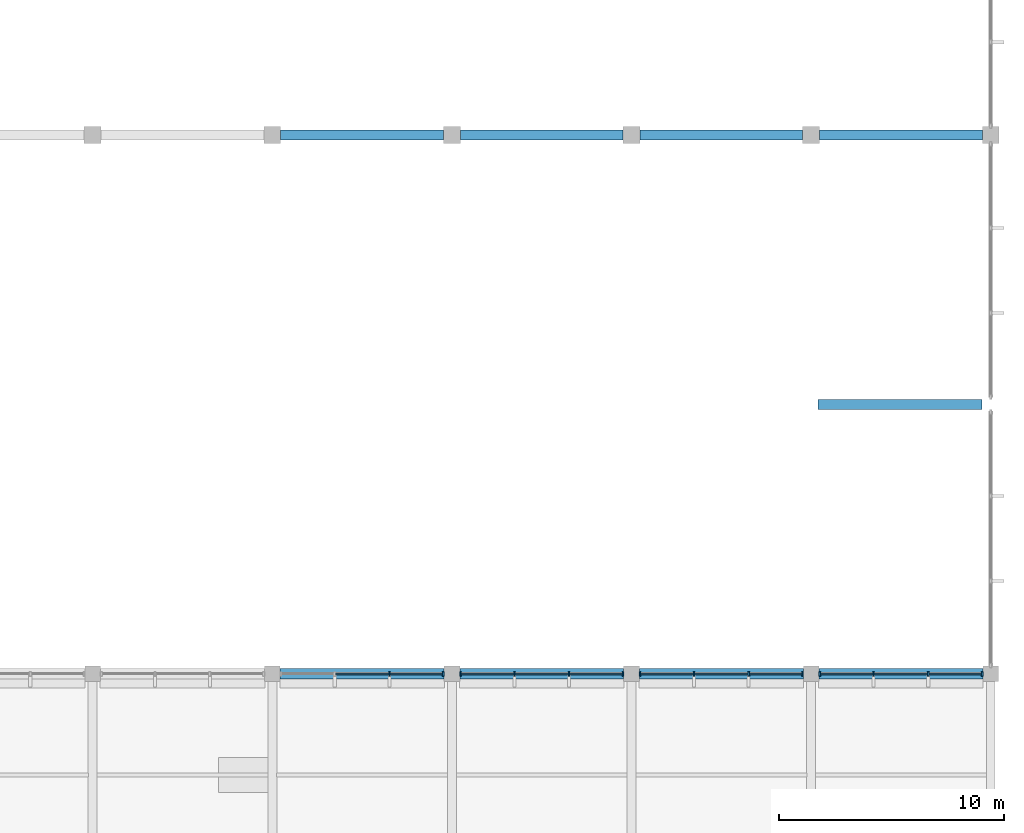
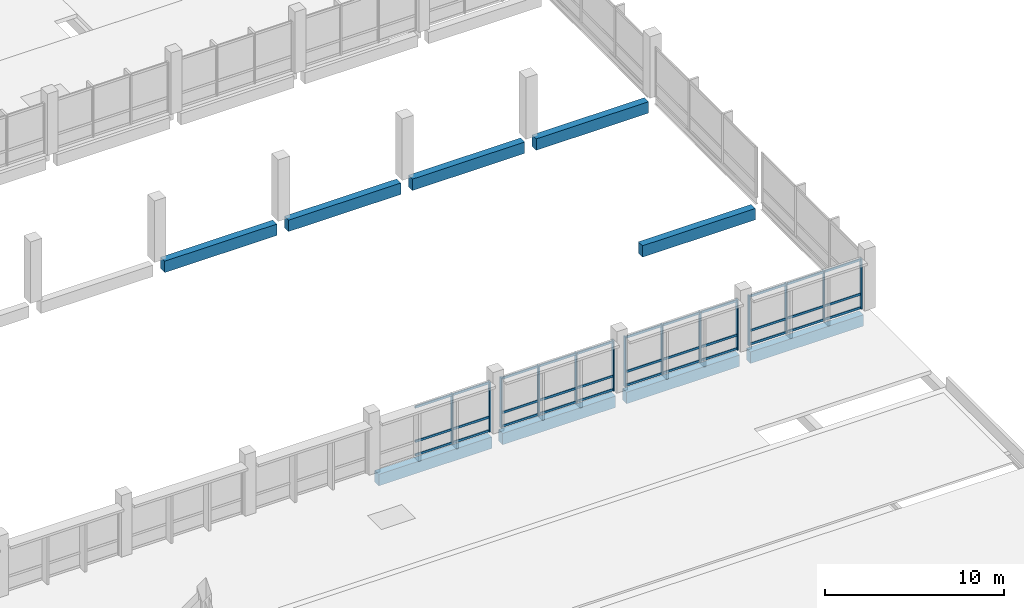
# One storey, part 34 of 70: 47 members, 9 beams, 4 elements without a shape of their own.
"""IFC4 building model written with IfcOpenShell, lengths in metres."""

from ifc_helpers import new_model, si_unit, direction, frame, origin, origin_2d, place, context, subcontext, project, spatial, rectangle, extrude, material, material_profile, profile_set, type_object, element, aggregate, save


model = new_model("IFC4")

# Units and contexts
model_context = context("Model", 3, precision=1e-05, world=origin(), true_north=direction((0.0, 1.0)))
body_context = subcontext(model_context, "Body", "Model", "MODEL_VIEW")
ifc_project = project(units=[si_unit("LENGTHUNIT", "METRE"), si_unit("AREAUNIT", "SQUARE_METRE"), si_unit("VOLUMEUNIT", "CUBIC_METRE"), si_unit("PLANEANGLEUNIT", "RADIAN"), si_unit("MASSUNIT", "GRAM", prefix="KILO"), si_unit("THERMODYNAMICTEMPERATUREUNIT", "KELVIN"), si_unit("POWERUNIT", "WATT")], contexts=[model_context])

# Site, building, storey
site_placement = place(None, origin())
site = spatial("IfcSite", under=ifc_project, at=site_placement, CompositionType="ELEMENT")
building_placement = place(site_placement, origin())
building = spatial("IfcBuilding", under=site, at=building_placement, Name="Kronsvod Quay Wholesale Market", CompositionType="ELEMENT")
storey_placement = place(building_placement, frame((0.0, 0.0, 9.0)))
storey = spatial("IfcBuildingStorey", under=building, at=storey_placement, Name="L02", CompositionType="ELEMENT", Elevation=9.0)

# Beams
ifc_material_1 = material(Name="Precast concrete C40/50", Category="concrete")
ifc_material_profile_1 = material_profile(ifc_material_1, rectangle(XDim=0.4599609375, YDim=0.780029296875, at=origin_2d()), Name="PB-03")
ifc_profile_set_1 = profile_set([ifc_material_profile_1], Name="Precast concrete C40/50")
beam_type = type_object("IfcBeamType", Name="Beam_PCB460x780", PredefinedType="BEAM", material=ifc_profile_set_1)
for number, where, z_axis, x_axis, name in (
    (1, (160.35009765625, 54.0, -0.64990234375), (1.0, 0.0, 0.0), (0.0, 1.0, 0.0), "BMX-L02-1600-540"),
    (2, (168.35009765625, 54.0, -0.64990234375), (1.0, 0.0, 0.0), (0.0, 1.0, 0.0), "BMX-L02-1680-540"),
    (3, (176.35009765625, 54.0, -0.64990234375), (1.0, 0.0, 0.0), (0.0, 1.0, 0.0), "BMX-L02-1760-540"),
    (4, (184.35009765625, 54.0, -0.699951171875), (1.0, 0.0, 0.0), (0.0, 1.0, 0.0), "BMX-L02-1840-540"),
):
    element("IfcBeam", number, at=place(storey_placement, frame(where, z_axis=z_axis, x_axis=x_axis)), inside=storey, type_object=beam_type, Name=name, PredefinedType="BEAM", context=body_context, shape_type="SweptSolid", body=[
        extrude(rectangle(XDim=0.4599609375, YDim=0.780029296875, at=origin_2d()), origin(), (0.0, 0.0, 1.0), 7.2998046875),
    ])
beam_placement = place(storey_placement, frame((184.300048828125, 66.0, -0.699951171875), z_axis=(1.0, 0.0, 0.0), x_axis=(0.0, 1.0, 0.0)))
element("IfcBeam", 5, at=beam_placement, inside=storey, type_object=beam_type, Name="BMX-L02-1840-660", PredefinedType="BEAM", context=body_context, shape_type="SweptSolid", body=[
    extrude(rectangle(XDim=0.4599609375, YDim=0.780029296875, at=origin_2d()), origin(), (0.0, 0.0, 1.0), 7.300048828125),
])
for number, where, z_axis, x_axis, name in (
    (6, (160.375, 78.0, -0.64990234375), (1.0, 0.0, 0.0), (0.0, 1.0, 0.0), "BMX-L02-1600-780"),
    (7, (168.375, 78.0, -0.64990234375), (1.0, 0.0, 0.0), (0.0, 1.0, 0.0), "BMX-L02-1680-780"),
    (8, (176.375, 78.0, -0.64990234375), (1.0, 0.0, 0.0), (0.0, 1.0, 0.0), "BMX-L02-1760-780"),
    (9, (184.375, 78.0, -0.699951171875), (1.0, 0.0, 0.0), (0.0, 1.0, 0.0), "BMX-L02-1840-780"),
):
    element("IfcBeam", number, at=place(storey_placement, frame(where, z_axis=z_axis, x_axis=x_axis)), inside=storey, type_object=beam_type, Name=name, PredefinedType="BEAM", context=body_context, shape_type="SweptSolid", body=[
        extrude(rectangle(XDim=0.4599609375, YDim=0.780029296875, at=origin_2d()), origin(), (0.0, 0.0, 1.0), 7.25),
    ])

# Curtain wall, members
ifc_material_2 = material(Name="Thermally broken aluminium and triple low-E glazing", Category="aluminium")
curtain_wall_type = type_object("IfcCurtainWallType", Name="CW_Clerestory80x32", PredefinedType="NOTDEFINED", material=ifc_material_2)
curtain_wall_1_placement = place(storey_placement, origin())
curtain_wall_1 = element("IfcCurtainWall", 10, at=curtain_wall_1_placement, inside=storey, type_object=curtain_wall_type, Name="CWGX-L02-1600-540", PredefinedType="NOTDEFINED")
ifc_material_3 = material(Name="Anodised aluminium", Category="aluminium")
ifc_material_profile_2 = material_profile(ifc_material_3, rectangle(XDim=0.074951171875, YDim=0.199951171875, at=origin_2d()), Name="ALUM75x200")
ifc_profile_set_2 = profile_set([ifc_material_profile_2], Name="Anodised aluminium")
member_type_1 = type_object("IfcMemberType", Name="Mullion_ALU75x200", PredefinedType="MULLION", material=ifc_profile_set_2)
member_1_placement = place(storey_placement, frame((165.21826171875, 54.0, 0.0), z_axis=(0.0, 0.0, 1.0), x_axis=(1.0, 0.0, 0.0)))
member_1 = element("IfcMember", 11, at=member_1_placement, type_object=member_type_1, Name="CWGX-L02-1600-540-M3", PredefinedType="MULLION", context=body_context, shape_type="SweptSolid", body=[
    extrude(rectangle(XDim=0.074951171875, YDim=0.199951171875, at=origin_2d()), origin(), (0.0, 0.0, 1.0), 3.419921875),
])
member_2_placement = place(storey_placement, frame((167.617431640625, 54.0, 0.0), z_axis=(0.0, 0.0, 1.0), x_axis=(1.0, 0.0, 0.0)))
member_2 = element("IfcMember", 12, at=member_2_placement, type_object=member_type_1, Name="CWGX-L02-1600-540-M4", PredefinedType="MULLION", context=body_context, shape_type="SweptSolid", body=[
    extrude(rectangle(XDim=0.074951171875, YDim=0.199951171875, at=origin_2d()), origin(), (0.0, 0.0, 1.0), 3.419921875),
])

curtain_wall_2_placement = place(storey_placement, origin())
curtain_wall_2 = element("IfcCurtainWall", 13, at=curtain_wall_2_placement, inside=storey, type_object=curtain_wall_type, Name="CWGX-L02-1680-540", PredefinedType="NOTDEFINED")
member_3_placement = place(storey_placement, frame((168.382568359375, 54.0, 0.0), z_axis=(0.0, 0.0, 1.0), x_axis=(1.0, 0.0, 0.0)))
member_3 = element("IfcMember", 14, at=member_3_placement, type_object=member_type_1, Name="CWGX-L02-1680-540-M1", PredefinedType="MULLION", context=body_context, shape_type="SweptSolid", body=[
    extrude(rectangle(XDim=0.074951171875, YDim=0.199951171875, at=origin_2d()), origin(), (0.0, 0.0, 1.0), 3.419921875),
])
member_4_placement = place(storey_placement, frame((170.78173828125, 54.0, 0.0), z_axis=(0.0, 0.0, 1.0), x_axis=(1.0, 0.0, 0.0)))
member_4 = element("IfcMember", 15, at=member_4_placement, type_object=member_type_1, Name="CWGX-L02-1680-540-M2", PredefinedType="MULLION", context=body_context, shape_type="SweptSolid", body=[
    extrude(rectangle(XDim=0.074951171875, YDim=0.199951171875, at=origin_2d()), origin(), (0.0, 0.0, 1.0), 3.419921875),
])
member_5_placement = place(storey_placement, frame((173.21826171875, 54.0, 0.0), z_axis=(0.0, 0.0, 1.0), x_axis=(1.0, 0.0, 0.0)))
member_5 = element("IfcMember", 16, at=member_5_placement, type_object=member_type_1, Name="CWGX-L02-1680-540-M3", PredefinedType="MULLION", context=body_context, shape_type="SweptSolid", body=[
    extrude(rectangle(XDim=0.074951171875, YDim=0.199951171875, at=origin_2d()), origin(), (0.0, 0.0, 1.0), 3.419921875),
])
member_6_placement = place(storey_placement, frame((175.617431640625, 54.0, 0.0), z_axis=(0.0, 0.0, 1.0), x_axis=(1.0, 0.0, 0.0)))
member_6 = element("IfcMember", 17, at=member_6_placement, type_object=member_type_1, Name="CWGX-L02-1680-540-M4", PredefinedType="MULLION", context=body_context, shape_type="SweptSolid", body=[
    extrude(rectangle(XDim=0.074951171875, YDim=0.199951171875, at=origin_2d()), origin(), (0.0, 0.0, 1.0), 3.419921875),
])

curtain_wall_3_placement = place(storey_placement, origin())
curtain_wall_3 = element("IfcCurtainWall", 18, at=curtain_wall_3_placement, inside=storey, type_object=curtain_wall_type, Name="CWGX-L02-1760-540", PredefinedType="NOTDEFINED")
member_7_placement = place(storey_placement, frame((176.382568359375, 54.0, 0.0), z_axis=(0.0, 0.0, 1.0), x_axis=(1.0, 0.0, 0.0)))
member_7 = element("IfcMember", 19, at=member_7_placement, type_object=member_type_1, Name="CWGX-L02-1760-540-M1", PredefinedType="MULLION", context=body_context, shape_type="SweptSolid", body=[
    extrude(rectangle(XDim=0.074951171875, YDim=0.199951171875, at=origin_2d()), origin(), (0.0, 0.0, 1.0), 3.419921875),
])
member_8_placement = place(storey_placement, frame((178.78173828125, 54.0, 0.0), z_axis=(0.0, 0.0, 1.0), x_axis=(1.0, 0.0, 0.0)))
member_8 = element("IfcMember", 20, at=member_8_placement, type_object=member_type_1, Name="CWGX-L02-1760-540-M2", PredefinedType="MULLION", context=body_context, shape_type="SweptSolid", body=[
    extrude(rectangle(XDim=0.074951171875, YDim=0.199951171875, at=origin_2d()), origin(), (0.0, 0.0, 1.0), 3.419921875),
])
member_9_placement = place(storey_placement, frame((181.21826171875, 54.0, 0.0), z_axis=(0.0, 0.0, 1.0), x_axis=(1.0, 0.0, 0.0)))
member_9 = element("IfcMember", 21, at=member_9_placement, type_object=member_type_1, Name="CWGX-L02-1760-540-M3", PredefinedType="MULLION", context=body_context, shape_type="SweptSolid", body=[
    extrude(rectangle(XDim=0.074951171875, YDim=0.199951171875, at=origin_2d()), origin(), (0.0, 0.0, 1.0), 3.419921875),
])
member_10_placement = place(storey_placement, frame((183.617431640625, 54.0, 0.0), z_axis=(0.0, 0.0, 1.0), x_axis=(1.0, 0.0, 0.0)))
member_10 = element("IfcMember", 22, at=member_10_placement, type_object=member_type_1, Name="CWGX-L02-1760-540-M4", PredefinedType="MULLION", context=body_context, shape_type="SweptSolid", body=[
    extrude(rectangle(XDim=0.074951171875, YDim=0.199951171875, at=origin_2d()), origin(), (0.0, 0.0, 1.0), 3.419921875),
])

curtain_wall_4_placement = place(storey_placement, origin())
curtain_wall_4 = element("IfcCurtainWall", 23, at=curtain_wall_4_placement, inside=storey, type_object=curtain_wall_type, Name="CWGX-L02-1840-540", PredefinedType="NOTDEFINED")
member_11_placement = place(storey_placement, frame((184.382568359375, 54.0, 0.0), z_axis=(0.0, 0.0, 1.0), x_axis=(1.0, 0.0, 0.0)))
member_11 = element("IfcMember", 24, at=member_11_placement, type_object=member_type_1, Name="CWGX-L02-1840-540-M1", PredefinedType="MULLION", context=body_context, shape_type="SweptSolid", body=[
    extrude(rectangle(XDim=0.074951171875, YDim=0.199951171875, at=origin_2d()), origin(), (0.0, 0.0, 1.0), 3.419921875),
])
member_12_placement = place(storey_placement, frame((186.78173828125, 54.0, 0.0), z_axis=(0.0, 0.0, 1.0), x_axis=(1.0, 0.0, 0.0)))
member_12 = element("IfcMember", 25, at=member_12_placement, type_object=member_type_1, Name="CWGX-L02-1840-540-M2", PredefinedType="MULLION", context=body_context, shape_type="SweptSolid", body=[
    extrude(rectangle(XDim=0.074951171875, YDim=0.199951171875, at=origin_2d()), origin(), (0.0, 0.0, 1.0), 3.419921875),
])
member_13_placement = place(storey_placement, frame((189.21826171875, 54.0, 0.0), z_axis=(0.0, 0.0, 1.0), x_axis=(1.0, 0.0, 0.0)))
member_13 = element("IfcMember", 26, at=member_13_placement, type_object=member_type_1, Name="CWGX-L02-1840-540-M3", PredefinedType="MULLION", context=body_context, shape_type="SweptSolid", body=[
    extrude(rectangle(XDim=0.074951171875, YDim=0.199951171875, at=origin_2d()), origin(), (0.0, 0.0, 1.0), 3.419921875),
])
member_14_placement = place(storey_placement, frame((191.617431640625, 54.0, 0.0), z_axis=(0.0, 0.0, 1.0), x_axis=(1.0, 0.0, 0.0)))
member_14 = element("IfcMember", 27, at=member_14_placement, type_object=member_type_1, Name="CWGX-L02-1840-540-M4", PredefinedType="MULLION", context=body_context, shape_type="SweptSolid", body=[
    extrude(rectangle(XDim=0.074951171875, YDim=0.199951171875, at=origin_2d()), origin(), (0.0, 0.0, 1.0), 3.419921875),
])

# Member
ifc_material_4 = material(Name="Anodised aluminium", Category="aluminium")
ifc_material_profile_3 = material_profile(ifc_material_4, rectangle(XDim=0.074951171875, YDim=0.14990234375, at=origin_2d()), Name="ALUT75x150")
ifc_profile_set_3 = profile_set([ifc_material_profile_3], Name="Anodised aluminium")
member_type_2 = type_object("IfcMemberType", Name="Transom_ALU75x150", PredefinedType="USERDEFINED", material=ifc_profile_set_3)
member_15_placement = place(storey_placement, frame((162.819091796875, 54.0, 0.074951171875), z_axis=(1.0, 0.0, 0.0), x_axis=(0.0, 1.0, 0.0)))
member_15 = element("IfcMember", 28, at=member_15_placement, type_object=member_type_2, Name="CWGX-L02-1600-540-T1B2", ObjectType="TRANSOM", PredefinedType="USERDEFINED", context=body_context, shape_type="SweptSolid", body=[
    extrude(rectangle(XDim=0.074951171875, YDim=0.14990234375, at=origin_2d()), origin(), (0.0, 0.0, 1.0), 2.36181640625),
])

member_16_placement = place(storey_placement, frame((165.255859375, 54.0, 0.074951171875), z_axis=(1.0, 0.0, 0.0), x_axis=(0.0, 1.0, 0.0)))
member_16 = element("IfcMember", 29, at=member_16_placement, type_object=member_type_2, Name="CWGX-L02-1600-540-T1B3", ObjectType="TRANSOM", PredefinedType="USERDEFINED", context=body_context, shape_type="SweptSolid", body=[
    extrude(rectangle(XDim=0.074951171875, YDim=0.14990234375, at=origin_2d()), origin(), (0.0, 0.0, 1.0), 2.32421875),
])

member_17_placement = place(storey_placement, frame((162.819091796875, 54.0, 1.0), z_axis=(1.0, 0.0, 0.0), x_axis=(0.0, 1.0, 0.0)))
member_17 = element("IfcMember", 30, at=member_17_placement, type_object=member_type_2, Name="CWGX-L02-1600-540-T2B2", ObjectType="TRANSOM", PredefinedType="USERDEFINED", context=body_context, shape_type="SweptSolid", body=[
    extrude(rectangle(XDim=0.074951171875, YDim=0.14990234375, at=origin_2d()), origin(), (0.0, 0.0, 1.0), 2.36181640625),
])

member_18_placement = place(storey_placement, frame((165.255859375, 54.0, 1.0), z_axis=(1.0, 0.0, 0.0), x_axis=(0.0, 1.0, 0.0)))
member_18 = element("IfcMember", 31, at=member_18_placement, type_object=member_type_2, Name="CWGX-L02-1600-540-T2B3", ObjectType="TRANSOM", PredefinedType="USERDEFINED", context=body_context, shape_type="SweptSolid", body=[
    extrude(rectangle(XDim=0.074951171875, YDim=0.14990234375, at=origin_2d()), origin(), (0.0, 0.0, 1.0), 2.32421875),
])

member_19_placement = place(storey_placement, frame((162.819091796875, 54.0, 3.344970703125), z_axis=(1.0, 0.0, 0.0), x_axis=(0.0, 1.0, 0.0)))
member_19 = element("IfcMember", 32, at=member_19_placement, type_object=member_type_2, Name="CWGX-L02-1600-540-T3B2", ObjectType="TRANSOM", PredefinedType="USERDEFINED", context=body_context, shape_type="SweptSolid", body=[
    extrude(rectangle(XDim=0.074951171875, YDim=0.14990234375, at=origin_2d()), origin(), (0.0, 0.0, 1.0), 2.36181640625),
])

member_20_placement = place(storey_placement, frame((165.255859375, 54.0, 3.344970703125), z_axis=(1.0, 0.0, 0.0), x_axis=(0.0, 1.0, 0.0)))
member_20 = element("IfcMember", 33, at=member_20_placement, type_object=member_type_2, Name="CWGX-L02-1600-540-T3B3", ObjectType="TRANSOM", PredefinedType="USERDEFINED", context=body_context, shape_type="SweptSolid", body=[
    extrude(rectangle(XDim=0.074951171875, YDim=0.14990234375, at=origin_2d()), origin(), (0.0, 0.0, 1.0), 2.32421875),
])

aggregate(curtain_wall_1, [member_1, member_2, member_15, member_16, member_17, member_18, member_19, member_20])

member_21_placement = place(storey_placement, frame((168.419921875, 54.0, 0.074951171875), z_axis=(1.0, 0.0, 0.0), x_axis=(0.0, 1.0, 0.0)))
member_21 = element("IfcMember", 34, at=member_21_placement, type_object=member_type_2, Name="CWGX-L02-1680-540-T1B1", ObjectType="TRANSOM", PredefinedType="USERDEFINED", context=body_context, shape_type="SweptSolid", body=[
    extrude(rectangle(XDim=0.074951171875, YDim=0.14990234375, at=origin_2d()), origin(), (0.0, 0.0, 1.0), 2.32421875),
])

member_22_placement = place(storey_placement, frame((170.819091796875, 54.0, 0.074951171875), z_axis=(1.0, 0.0, 0.0), x_axis=(0.0, 1.0, 0.0)))
member_22 = element("IfcMember", 35, at=member_22_placement, type_object=member_type_2, Name="CWGX-L02-1680-540-T1B2", ObjectType="TRANSOM", PredefinedType="USERDEFINED", context=body_context, shape_type="SweptSolid", body=[
    extrude(rectangle(XDim=0.074951171875, YDim=0.14990234375, at=origin_2d()), origin(), (0.0, 0.0, 1.0), 2.36181640625),
])

member_23_placement = place(storey_placement, frame((173.255859375, 54.0, 0.074951171875), z_axis=(1.0, 0.0, 0.0), x_axis=(0.0, 1.0, 0.0)))
member_23 = element("IfcMember", 36, at=member_23_placement, type_object=member_type_2, Name="CWGX-L02-1680-540-T1B3", ObjectType="TRANSOM", PredefinedType="USERDEFINED", context=body_context, shape_type="SweptSolid", body=[
    extrude(rectangle(XDim=0.074951171875, YDim=0.14990234375, at=origin_2d()), origin(), (0.0, 0.0, 1.0), 2.32421875),
])

member_24_placement = place(storey_placement, frame((168.419921875, 54.0, 1.0), z_axis=(1.0, 0.0, 0.0), x_axis=(0.0, 1.0, 0.0)))
member_24 = element("IfcMember", 37, at=member_24_placement, type_object=member_type_2, Name="CWGX-L02-1680-540-T2B1", ObjectType="TRANSOM", PredefinedType="USERDEFINED", context=body_context, shape_type="SweptSolid", body=[
    extrude(rectangle(XDim=0.074951171875, YDim=0.14990234375, at=origin_2d()), origin(), (0.0, 0.0, 1.0), 2.32421875),
])

member_25_placement = place(storey_placement, frame((170.819091796875, 54.0, 1.0), z_axis=(1.0, 0.0, 0.0), x_axis=(0.0, 1.0, 0.0)))
member_25 = element("IfcMember", 38, at=member_25_placement, type_object=member_type_2, Name="CWGX-L02-1680-540-T2B2", ObjectType="TRANSOM", PredefinedType="USERDEFINED", context=body_context, shape_type="SweptSolid", body=[
    extrude(rectangle(XDim=0.074951171875, YDim=0.14990234375, at=origin_2d()), origin(), (0.0, 0.0, 1.0), 2.36181640625),
])

member_26_placement = place(storey_placement, frame((173.255859375, 54.0, 1.0), z_axis=(1.0, 0.0, 0.0), x_axis=(0.0, 1.0, 0.0)))
member_26 = element("IfcMember", 39, at=member_26_placement, type_object=member_type_2, Name="CWGX-L02-1680-540-T2B3", ObjectType="TRANSOM", PredefinedType="USERDEFINED", context=body_context, shape_type="SweptSolid", body=[
    extrude(rectangle(XDim=0.074951171875, YDim=0.14990234375, at=origin_2d()), origin(), (0.0, 0.0, 1.0), 2.32421875),
])

member_27_placement = place(storey_placement, frame((168.419921875, 54.0, 3.344970703125), z_axis=(1.0, 0.0, 0.0), x_axis=(0.0, 1.0, 0.0)))
member_27 = element("IfcMember", 40, at=member_27_placement, type_object=member_type_2, Name="CWGX-L02-1680-540-T3B1", ObjectType="TRANSOM", PredefinedType="USERDEFINED", context=body_context, shape_type="SweptSolid", body=[
    extrude(rectangle(XDim=0.074951171875, YDim=0.14990234375, at=origin_2d()), origin(), (0.0, 0.0, 1.0), 2.32421875),
])

member_28_placement = place(storey_placement, frame((170.819091796875, 54.0, 3.344970703125), z_axis=(1.0, 0.0, 0.0), x_axis=(0.0, 1.0, 0.0)))
member_28 = element("IfcMember", 41, at=member_28_placement, type_object=member_type_2, Name="CWGX-L02-1680-540-T3B2", ObjectType="TRANSOM", PredefinedType="USERDEFINED", context=body_context, shape_type="SweptSolid", body=[
    extrude(rectangle(XDim=0.074951171875, YDim=0.14990234375, at=origin_2d()), origin(), (0.0, 0.0, 1.0), 2.36181640625),
])

member_29_placement = place(storey_placement, frame((173.255859375, 54.0, 3.344970703125), z_axis=(1.0, 0.0, 0.0), x_axis=(0.0, 1.0, 0.0)))
member_29 = element("IfcMember", 42, at=member_29_placement, type_object=member_type_2, Name="CWGX-L02-1680-540-T3B3", ObjectType="TRANSOM", PredefinedType="USERDEFINED", context=body_context, shape_type="SweptSolid", body=[
    extrude(rectangle(XDim=0.074951171875, YDim=0.14990234375, at=origin_2d()), origin(), (0.0, 0.0, 1.0), 2.32421875),
])

aggregate(curtain_wall_2, [member_3, member_4, member_5, member_6, member_21, member_22, member_23, member_24, member_25, member_26, member_27, member_28, member_29])

member_30_placement = place(storey_placement, frame((176.419921875, 54.0, 0.074951171875), z_axis=(1.0, 0.0, 0.0), x_axis=(0.0, 1.0, 0.0)))
member_30 = element("IfcMember", 43, at=member_30_placement, type_object=member_type_2, Name="CWGX-L02-1760-540-T1B1", ObjectType="TRANSOM", PredefinedType="USERDEFINED", context=body_context, shape_type="SweptSolid", body=[
    extrude(rectangle(XDim=0.074951171875, YDim=0.14990234375, at=origin_2d()), origin(), (0.0, 0.0, 1.0), 2.32421875),
])

member_31_placement = place(storey_placement, frame((178.819091796875, 54.0, 0.074951171875), z_axis=(1.0, 0.0, 0.0), x_axis=(0.0, 1.0, 0.0)))
member_31 = element("IfcMember", 44, at=member_31_placement, type_object=member_type_2, Name="CWGX-L02-1760-540-T1B2", ObjectType="TRANSOM", PredefinedType="USERDEFINED", context=body_context, shape_type="SweptSolid", body=[
    extrude(rectangle(XDim=0.074951171875, YDim=0.14990234375, at=origin_2d()), origin(), (0.0, 0.0, 1.0), 2.36181640625),
])

member_32_placement = place(storey_placement, frame((181.255859375, 54.0, 0.074951171875), z_axis=(1.0, 0.0, 0.0), x_axis=(0.0, 1.0, 0.0)))
member_32 = element("IfcMember", 45, at=member_32_placement, type_object=member_type_2, Name="CWGX-L02-1760-540-T1B3", ObjectType="TRANSOM", PredefinedType="USERDEFINED", context=body_context, shape_type="SweptSolid", body=[
    extrude(rectangle(XDim=0.074951171875, YDim=0.14990234375, at=origin_2d()), origin(), (0.0, 0.0, 1.0), 2.32421875),
])

member_33_placement = place(storey_placement, frame((176.419921875, 54.0, 1.0), z_axis=(1.0, 0.0, 0.0), x_axis=(0.0, 1.0, 0.0)))
member_33 = element("IfcMember", 46, at=member_33_placement, type_object=member_type_2, Name="CWGX-L02-1760-540-T2B1", ObjectType="TRANSOM", PredefinedType="USERDEFINED", context=body_context, shape_type="SweptSolid", body=[
    extrude(rectangle(XDim=0.074951171875, YDim=0.14990234375, at=origin_2d()), origin(), (0.0, 0.0, 1.0), 2.32421875),
])

member_34_placement = place(storey_placement, frame((178.819091796875, 54.0, 1.0), z_axis=(1.0, 0.0, 0.0), x_axis=(0.0, 1.0, 0.0)))
member_34 = element("IfcMember", 47, at=member_34_placement, type_object=member_type_2, Name="CWGX-L02-1760-540-T2B2", ObjectType="TRANSOM", PredefinedType="USERDEFINED", context=body_context, shape_type="SweptSolid", body=[
    extrude(rectangle(XDim=0.074951171875, YDim=0.14990234375, at=origin_2d()), origin(), (0.0, 0.0, 1.0), 2.36181640625),
])

member_35_placement = place(storey_placement, frame((181.255859375, 54.0, 1.0), z_axis=(1.0, 0.0, 0.0), x_axis=(0.0, 1.0, 0.0)))
member_35 = element("IfcMember", 48, at=member_35_placement, type_object=member_type_2, Name="CWGX-L02-1760-540-T2B3", ObjectType="TRANSOM", PredefinedType="USERDEFINED", context=body_context, shape_type="SweptSolid", body=[
    extrude(rectangle(XDim=0.074951171875, YDim=0.14990234375, at=origin_2d()), origin(), (0.0, 0.0, 1.0), 2.32421875),
])

member_36_placement = place(storey_placement, frame((176.419921875, 54.0, 3.344970703125), z_axis=(1.0, 0.0, 0.0), x_axis=(0.0, 1.0, 0.0)))
member_36 = element("IfcMember", 49, at=member_36_placement, type_object=member_type_2, Name="CWGX-L02-1760-540-T3B1", ObjectType="TRANSOM", PredefinedType="USERDEFINED", context=body_context, shape_type="SweptSolid", body=[
    extrude(rectangle(XDim=0.074951171875, YDim=0.14990234375, at=origin_2d()), origin(), (0.0, 0.0, 1.0), 2.32421875),
])

member_37_placement = place(storey_placement, frame((178.819091796875, 54.0, 3.344970703125), z_axis=(1.0, 0.0, 0.0), x_axis=(0.0, 1.0, 0.0)))
member_37 = element("IfcMember", 50, at=member_37_placement, type_object=member_type_2, Name="CWGX-L02-1760-540-T3B2", ObjectType="TRANSOM", PredefinedType="USERDEFINED", context=body_context, shape_type="SweptSolid", body=[
    extrude(rectangle(XDim=0.074951171875, YDim=0.14990234375, at=origin_2d()), origin(), (0.0, 0.0, 1.0), 2.36181640625),
])

member_38_placement = place(storey_placement, frame((181.255859375, 54.0, 3.344970703125), z_axis=(1.0, 0.0, 0.0), x_axis=(0.0, 1.0, 0.0)))
member_38 = element("IfcMember", 51, at=member_38_placement, type_object=member_type_2, Name="CWGX-L02-1760-540-T3B3", ObjectType="TRANSOM", PredefinedType="USERDEFINED", context=body_context, shape_type="SweptSolid", body=[
    extrude(rectangle(XDim=0.074951171875, YDim=0.14990234375, at=origin_2d()), origin(), (0.0, 0.0, 1.0), 2.32421875),
])

aggregate(curtain_wall_3, [member_7, member_8, member_9, member_10, member_30, member_31, member_32, member_33, member_34, member_35, member_36, member_37, member_38])

member_39_placement = place(storey_placement, frame((184.419921875, 54.0, 0.074951171875), z_axis=(1.0, 0.0, 0.0), x_axis=(0.0, 1.0, 0.0)))
member_39 = element("IfcMember", 52, at=member_39_placement, type_object=member_type_2, Name="CWGX-L02-1840-540-T1B1", ObjectType="TRANSOM", PredefinedType="USERDEFINED", context=body_context, shape_type="SweptSolid", body=[
    extrude(rectangle(XDim=0.074951171875, YDim=0.14990234375, at=origin_2d()), origin(), (0.0, 0.0, 1.0), 2.32421875),
])

member_40_placement = place(storey_placement, frame((186.819091796875, 54.0, 0.074951171875), z_axis=(1.0, 0.0, 0.0), x_axis=(0.0, 1.0, 0.0)))
member_40 = element("IfcMember", 53, at=member_40_placement, type_object=member_type_2, Name="CWGX-L02-1840-540-T1B2", ObjectType="TRANSOM", PredefinedType="USERDEFINED", context=body_context, shape_type="SweptSolid", body=[
    extrude(rectangle(XDim=0.074951171875, YDim=0.14990234375, at=origin_2d()), origin(), (0.0, 0.0, 1.0), 2.36181640625),
])

member_41_placement = place(storey_placement, frame((189.255859375, 54.0, 0.074951171875), z_axis=(1.0, 0.0, 0.0), x_axis=(0.0, 1.0, 0.0)))
member_41 = element("IfcMember", 54, at=member_41_placement, type_object=member_type_2, Name="CWGX-L02-1840-540-T1B3", ObjectType="TRANSOM", PredefinedType="USERDEFINED", context=body_context, shape_type="SweptSolid", body=[
    extrude(rectangle(XDim=0.074951171875, YDim=0.14990234375, at=origin_2d()), origin(), (0.0, 0.0, 1.0), 2.32421875),
])

member_42_placement = place(storey_placement, frame((184.419921875, 54.0, 1.0), z_axis=(1.0, 0.0, 0.0), x_axis=(0.0, 1.0, 0.0)))
member_42 = element("IfcMember", 55, at=member_42_placement, type_object=member_type_2, Name="CWGX-L02-1840-540-T2B1", ObjectType="TRANSOM", PredefinedType="USERDEFINED", context=body_context, shape_type="SweptSolid", body=[
    extrude(rectangle(XDim=0.074951171875, YDim=0.14990234375, at=origin_2d()), origin(), (0.0, 0.0, 1.0), 2.32421875),
])

member_43_placement = place(storey_placement, frame((186.819091796875, 54.0, 1.0), z_axis=(1.0, 0.0, 0.0), x_axis=(0.0, 1.0, 0.0)))
member_43 = element("IfcMember", 56, at=member_43_placement, type_object=member_type_2, Name="CWGX-L02-1840-540-T2B2", ObjectType="TRANSOM", PredefinedType="USERDEFINED", context=body_context, shape_type="SweptSolid", body=[
    extrude(rectangle(XDim=0.074951171875, YDim=0.14990234375, at=origin_2d()), origin(), (0.0, 0.0, 1.0), 2.36181640625),
])

member_44_placement = place(storey_placement, frame((189.255859375, 54.0, 1.0), z_axis=(1.0, 0.0, 0.0), x_axis=(0.0, 1.0, 0.0)))
member_44 = element("IfcMember", 57, at=member_44_placement, type_object=member_type_2, Name="CWGX-L02-1840-540-T2B3", ObjectType="TRANSOM", PredefinedType="USERDEFINED", context=body_context, shape_type="SweptSolid", body=[
    extrude(rectangle(XDim=0.074951171875, YDim=0.14990234375, at=origin_2d()), origin(), (0.0, 0.0, 1.0), 2.32421875),
])

member_45_placement = place(storey_placement, frame((184.419921875, 54.0, 3.344970703125), z_axis=(1.0, 0.0, 0.0), x_axis=(0.0, 1.0, 0.0)))
member_45 = element("IfcMember", 58, at=member_45_placement, type_object=member_type_2, Name="CWGX-L02-1840-540-T3B1", ObjectType="TRANSOM", PredefinedType="USERDEFINED", context=body_context, shape_type="SweptSolid", body=[
    extrude(rectangle(XDim=0.074951171875, YDim=0.14990234375, at=origin_2d()), origin(), (0.0, 0.0, 1.0), 2.32421875),
])

member_46_placement = place(storey_placement, frame((186.819091796875, 54.0, 3.344970703125), z_axis=(1.0, 0.0, 0.0), x_axis=(0.0, 1.0, 0.0)))
member_46 = element("IfcMember", 59, at=member_46_placement, type_object=member_type_2, Name="CWGX-L02-1840-540-T3B2", ObjectType="TRANSOM", PredefinedType="USERDEFINED", context=body_context, shape_type="SweptSolid", body=[
    extrude(rectangle(XDim=0.074951171875, YDim=0.14990234375, at=origin_2d()), origin(), (0.0, 0.0, 1.0), 2.36181640625),
])

member_47_placement = place(storey_placement, frame((189.255859375, 54.0, 3.344970703125), z_axis=(1.0, 0.0, 0.0), x_axis=(0.0, 1.0, 0.0)))
member_47 = element("IfcMember", 60, at=member_47_placement, type_object=member_type_2, Name="CWGX-L02-1840-540-T3B3", ObjectType="TRANSOM", PredefinedType="USERDEFINED", context=body_context, shape_type="SweptSolid", body=[
    extrude(rectangle(XDim=0.074951171875, YDim=0.14990234375, at=origin_2d()), origin(), (0.0, 0.0, 1.0), 2.32421875),
])

aggregate(curtain_wall_4, [member_11, member_12, member_13, member_14, member_39, member_40, member_41, member_42, member_43, member_44, member_45, member_46, member_47])

save(model, "model.ifc")
